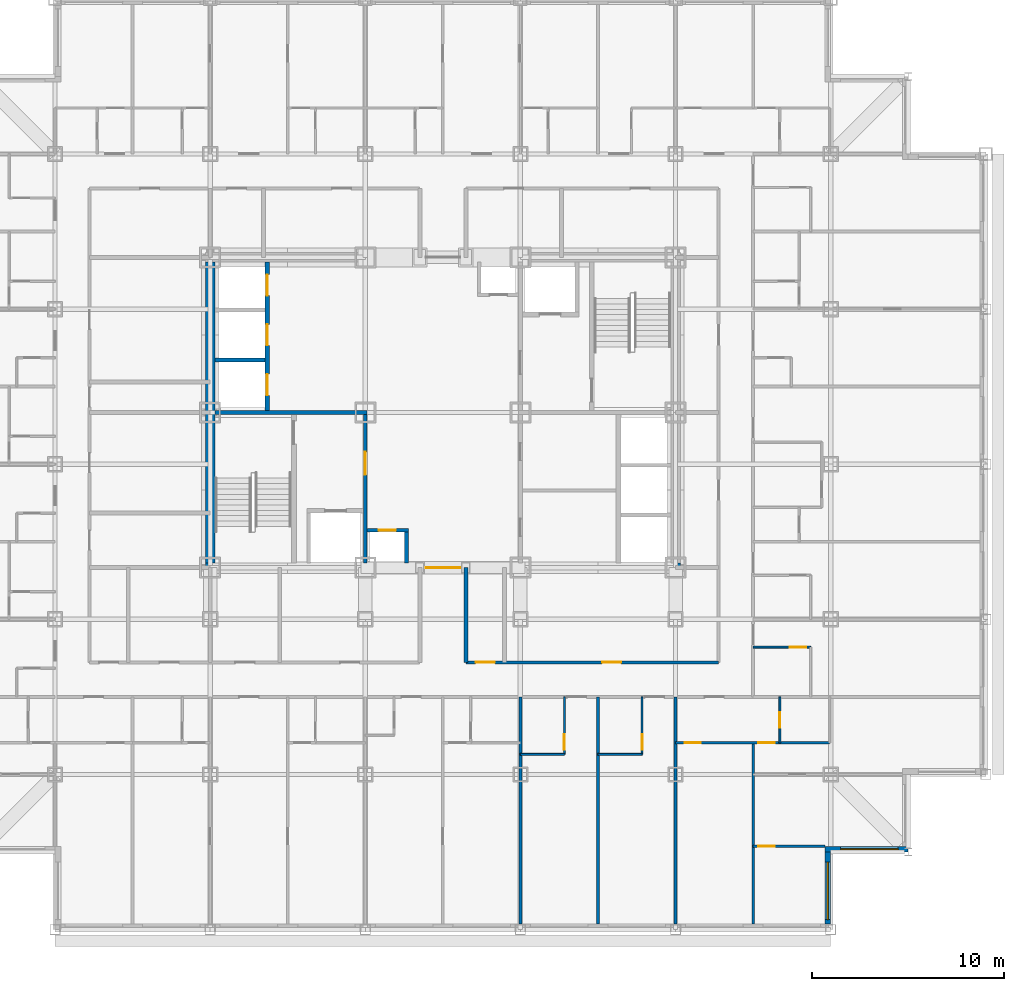
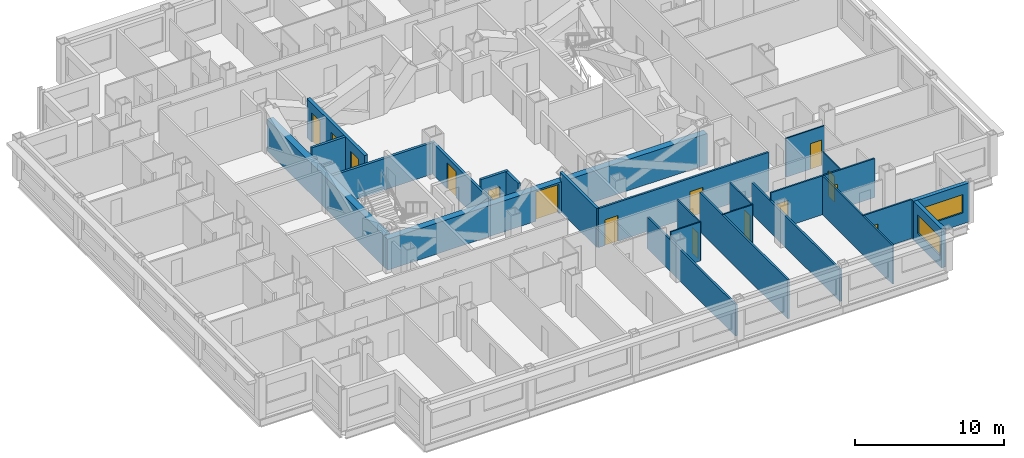
# One storey, part 7 of 13: 24 walls, 15 doors, 2 windows, 17 openings.
"""IFC4 building model written with IfcOpenShell, lengths in metres."""

import ifcopenshell
import ifcopenshell.guid

model = None  # the IFC model being written
_history = None  # IfcOwnerHistory: only IFC2X3 demands one
_inside = {}  # id of a spatial element -> (the spatial element, [elements in it])
_under = {}  # id of a project, library or spatial element -> (it, [spatial elements below it])
_declared = {}  # id of a project -> (the project, [libraries it declares])
_typed = {}  # id of a type object -> (the type object, [elements of that type])
_made_of = {}  # id of a material, layer set ... -> (it, [elements and type objects made of it])


def new_model(schema):
    """Start an empty IFC model of exactly this schema.

    Asked for "IFC4X3", IfcOpenShell would pick the latest addendum, in which some entities
    have other attributes; the version numbers below select the first issue.
    IFC2X3 requires an IfcOwnerHistory on every rooted entity: one is made here for all.
    """
    global model, _history
    if schema == "IFC4X3":
        model = ifcopenshell.file(schema_version=(4, 3, 0, 0))
    else:
        model = ifcopenshell.file(schema=schema)
    _inside.clear()
    _under.clear()
    _declared.clear()
    _typed.clear()
    _made_of.clear()
    _history = None
    if model.schema == "IFC2X3":
        org = make("IfcOrganization", Name="unknown")
        user = make(
            "IfcPersonAndOrganization",
            ThePerson=make("IfcPerson", FamilyName="unknown"),
            TheOrganization=org,
        )
        app = make(
            "IfcApplication",
            ApplicationDeveloper=org,
            Version="unknown",
            ApplicationFullName="unknown",
            ApplicationIdentifier="unknown",
        )
        _history = make(
            "IfcOwnerHistory",
            OwningUser=user,
            OwningApplication=app,
            ChangeAction="ADDED",
            CreationDate=0,
        )
    return model


def make(cls, **values):
    """One entity of the class cls with the attributes given. An attribute that is None is left unset."""
    return model.create_entity(
        cls, **{name: value for name, value in values.items() if value is not None}
    )


def rooted(cls, **values):
    """An entity with a GlobalId (a new one), such as an element, a storey or a relation."""
    return make(cls, GlobalId=ifcopenshell.guid.new(), OwnerHistory=_history, **values)


def si_unit(unit_type, name, prefix=None):
    """IfcSIUnit, for example si_unit("LENGTHUNIT", "METRE", prefix="MILLI")."""
    return make("IfcSIUnit", UnitType=unit_type, Prefix=prefix, Name=name)


def assignment(units):
    """IfcUnitAssignment: the units of a project."""
    return None if units is None else make("IfcUnitAssignment", Units=units)


def point(xyz):
    """IfcCartesianPoint."""
    return None if xyz is None else make("IfcCartesianPoint", Coordinates=xyz)


def direction(xyz):
    """IfcDirection."""
    return None if xyz is None else make("IfcDirection", DirectionRatios=xyz)


def frame(location, z_axis=None, x_axis=None):
    """IfcAxis2Placement3D, a coordinate frame: its origin and axes. An axis left out is left unset."""
    return make(
        "IfcAxis2Placement3D",
        Location=point(location),
        Axis=direction(z_axis),
        RefDirection=direction(x_axis),
    )


def frame_2d(location, x_axis=None):
    """IfcAxis2Placement2D, a coordinate frame in the plane: its origin and x axis."""
    return make(
        "IfcAxis2Placement2D", Location=point(location), RefDirection=direction(x_axis)
    )


def origin():
    """The frame at (0, 0, 0) with its axes left unset."""
    return frame((0.0, 0.0, 0.0))


def place(relative_to, where):
    """IfcLocalPlacement: puts the frame where relative to a parent placement (None: the world)."""
    return make(
        "IfcLocalPlacement", PlacementRelTo=relative_to, RelativePlacement=where
    )


def context(
    kind, dimensions, precision=None, world=None, true_north=None, identifier=None
):
    """IfcGeometricRepresentationContext, for example the 3D "Model" context."""
    return make(
        "IfcGeometricRepresentationContext",
        ContextIdentifier=identifier,
        ContextType=kind,
        CoordinateSpaceDimension=dimensions,
        Precision=precision,
        WorldCoordinateSystem=world,
        TrueNorth=true_north,
    )


def subcontext(parent, identifier, kind, view, scale=None):
    """IfcGeometricRepresentationSubContext, for example "Body" below "Model"."""
    return make(
        "IfcGeometricRepresentationSubContext",
        ContextIdentifier=identifier,
        ContextType=kind,
        ParentContext=parent,
        TargetScale=scale,
        TargetView=view,
    )


def project(units=None, contexts=None):
    """IfcProject with its units and contexts."""
    return rooted(
        "IfcProject",
        Name="project",
        RepresentationContexts=contexts,
        UnitsInContext=assignment(units),
    )


def spatial(cls, under=None, at=None, **own):
    """A site, building, storey or space (cls), placed at a placement, below another one or the project."""
    s = rooted(cls, ObjectPlacement=at, **own)
    if under is not None:
        _under.setdefault(under.id(), (under, []))[1].append(s)
    return s


def profile(cls, at=None, kind="AREA", **sizes):
    """A parametric profile (cls). Its sizes go by their IFC names, for example OverallWidth=200.0."""
    return make(cls, ProfileType=kind, Position=at, **sizes)


def rectangle(**sizes):
    """IfcRectangleProfileDef."""
    return profile("IfcRectangleProfileDef", **sizes)


def extrude(swept, where, along, depth):
    """IfcExtrudedAreaSolid: the profile swept, set in the frame where, extruded along a direction by depth."""
    return make(
        "IfcExtrudedAreaSolid",
        SweptArea=swept,
        Position=where,
        ExtrudedDirection=direction(along),
        Depth=depth,
    )


def shape(context_of_items, identifier, shape_type, items):
    """IfcShapeRepresentation: the items that make up one representation, for example the "Body"."""
    return make(
        "IfcShapeRepresentation",
        ContextOfItems=context_of_items,
        RepresentationIdentifier=identifier,
        RepresentationType=shape_type,
        Items=items,
    )


def material(Name=None, Category=None):
    """IfcMaterial."""
    return make("IfcMaterial", Name=Name, Category=Category)


def layer(
    of_material, thickness, ventilated=None, Name=None, Category=None, Priority=None
):
    """IfcMaterialLayer: one layer of a wall or slab, of a material (None: an air gap)."""
    return make(
        "IfcMaterialLayer",
        Material=of_material,
        LayerThickness=thickness,
        IsVentilated=ventilated,
        Name=Name,
        Category=Category,
        Priority=Priority,
    )


def layer_set(layers, Name=None):
    """IfcMaterialLayerSet."""
    return make("IfcMaterialLayerSet", MaterialLayers=layers, LayerSetName=Name)


def made_of(thing, what):
    """Note that an element or type object is made of a material, layer set ...; save() writes the relation."""
    if what is not None:
        _made_of.setdefault(what.id(), (what, []))[1].append(thing)
    return thing


def type_object(cls, material=None, **own):
    """A type object (cls), such as IfcWallType, which elements share."""
    return made_of(rooted(cls, **own), material)


def element(
    cls,
    number,
    at=None,
    inside=None,
    cuts=None,
    type_object=None,
    material=None,
    context=None,
    identifier="Body",
    shape_type=None,
    held_by="IfcProductDefinitionShape",
    body=None,
    shapes=None,
    **own,
):
    """One element of the class cls, such as IfcWall. Its Tag is "e" and its number.

    at: its placement. inside: the storey or other place that contains it. cuts: it is an
    opening in that element (IfcRelVoidsElement). A single representation is given by context,
    identifier, shape_type and body (its items); several are given by shapes. held_by: the class
    of the entity that holds the representations. save() writes the other relations.
    """
    e = rooted(cls, Tag="e%d" % number, ObjectPlacement=at, **own)
    if body is not None:
        shapes = [shape(context, identifier, shape_type, body)]
    if shapes is not None:
        e.Representation = make(held_by, Representations=shapes)
    if inside is not None:
        _inside.setdefault(inside.id(), (inside, []))[1].append(e)
    if cuts is not None:
        rooted(
            "IfcRelVoidsElement", RelatingBuildingElement=cuts, RelatedOpeningElement=e
        )
    if type_object is not None:
        _typed.setdefault(type_object.id(), (type_object, []))[1].append(e)
    return made_of(e, material)


def fill(opening, filler):
    """IfcRelFillsElement: the door or window that sits in an opening."""
    return rooted(
        "IfcRelFillsElement",
        RelatingOpeningElement=opening,
        RelatedBuildingElement=filler,
    )


def aggregate(whole, parts):
    """IfcRelAggregates: a whole, such as a stair, and the parts it consists of."""
    return rooted("IfcRelAggregates", RelatingObject=whole, RelatedObjects=parts)


def save(model, path):
    """Write the relations noted so far, then the file.

    IfcRelAggregates (storeys below a building ...), IfcRelContainedInSpatialStructure (elements
    in a storey), IfcRelDefinesByType, IfcRelAssociatesMaterial and IfcRelDeclares: one each for
    every whole, place, type object, material and project.
    """
    for whole, parts in _under.values():
        aggregate(whole, parts)
    for where, things in _inside.values():
        rooted(
            "IfcRelContainedInSpatialStructure",
            RelatedElements=things,
            RelatingStructure=where,
        )
    for kind, things in _typed.values():
        rooted("IfcRelDefinesByType", RelatedObjects=things, RelatingType=kind)
    for what, things in _made_of.values():
        rooted("IfcRelAssociatesMaterial", RelatedObjects=things, RelatingMaterial=what)
    for by, libraries in _declared.values():
        rooted("IfcRelDeclares", RelatingContext=by, RelatedDefinitions=libraries)
    model.write(path)


model = new_model("IFC4")

# Units and contexts
model_context = context("Model", 3, precision=1e-05, world=origin(), true_north=direction((0.0, 1.0)))
body_context = subcontext(model_context, "Body", "Model", "MODEL_VIEW")
ifc_project = project(units=[si_unit("LENGTHUNIT", "METRE"), si_unit("AREAUNIT", "SQUARE_METRE"), si_unit("VOLUMEUNIT", "CUBIC_METRE"), si_unit("PLANEANGLEUNIT", "RADIAN"), si_unit("MASSUNIT", "GRAM", prefix="KILO")], contexts=[model_context])

# Site, building, storey
site_placement = place(None, origin())
site = spatial("IfcSite", under=ifc_project, at=site_placement, CompositionType="ELEMENT")
building_placement = place(site_placement, origin())
building = spatial("IfcBuilding", under=site, at=building_placement, Name="Kopane Lantern Tower", CompositionType="ELEMENT")
storey_placement = place(building_placement, frame((0.0, 0.0, 134.0)))
storey = spatial("IfcBuildingStorey", under=building, at=storey_placement, Name="L34", CompositionType="ELEMENT", Elevation=134.0)

# Wall, openings, doors
ifc_material_1 = material(Name="Gypsum board on steel studs", Category="steel")
ifc_layer_1 = layer(ifc_material_1, 0.1201171875)
ifc_layer_set_1 = layer_set([ifc_layer_1], Name="APARTMENT INTERNAL WALL 120")
wall_type_1 = type_object("IfcWallType", Name="APARTMENT INTERNAL WALL 120", PredefinedType="PARTITIONING", material=ifc_layer_set_1)
wall_1_placement = place(storey_placement, frame((40.5, 15.14990234375, 0.0), z_axis=(0.0, 0.0, 1.0), x_axis=(1.0, 0.0, 0.0)))
wall_1 = element("IfcWall", 1, at=wall_1_placement, inside=storey, type_object=wall_type_1, Name="Apartment Internal Wall 120 L34", PredefinedType="PARTITIONING", context=body_context, shape_type="SweptSolid", body=[
    extrude(rectangle(XDim=8.050048828125, YDim=0.1201171875, at=frame_2d((4.02490234375, 0.0))), origin(), (0.0, 0.0, 1.0), 3.18994140625),
])
opening_1_placement = place(wall_1_placement, frame((0.47509765625, 0.0, 0.0)))
opening_1 = element("IfcOpeningElement", 2, at=opening_1_placement, cuts=wall_1, Name="Opening L34-076", PredefinedType="OPENING", context=body_context, shape_type="SweptSolid", body=[
    extrude(rectangle(XDim=0.85009765625, YDim=2.10009765625, at=frame_2d((0.425048828125, 1.050048828125))), frame((0.0, 0.070068359375, 0.0), z_axis=(0.0, -1.0, 0.0), x_axis=(1.0, 0.0, 0.0)), (0.0, 0.0, 1.0), 0.14013671875),
])
opening_2_placement = place(wall_1_placement, frame((4.324951171875, 0.0, 0.0)))
opening_2 = element("IfcOpeningElement", 3, at=opening_2_placement, cuts=wall_1, Name="Opening L34-078", PredefinedType="OPENING", context=body_context, shape_type="SweptSolid", body=[
    extrude(rectangle(XDim=0.85009765625, YDim=2.10009765625, at=frame_2d((0.425048828125, 1.050048828125))), frame((0.0, 0.070068359375, 0.0), z_axis=(0.0, -1.0, 0.0), x_axis=(1.0, 0.0, 0.0)), (0.0, 0.0, 1.0), 0.14013671875),
])
ifc_material_2 = material(Name="Timber door set", Category="wood")
door_type_1 = type_object("IfcDoorType", Name="DOOR D4 850x2100", OperationType="SINGLE_SWING_LEFT", PredefinedType="DOOR", material=ifc_material_2)
door_1_placement = place(opening_1_placement, origin())
door_1 = element("IfcDoor", 4, at=door_1_placement, inside=storey, type_object=door_type_1, Name="Door L34-076", OperationType="SINGLE_SWING_LEFT", OverallHeight=2.10009765625, OverallWidth=0.85009765625, PredefinedType="DOOR", context=body_context, shape_type="SweptSolid", body=[
    extrude(rectangle(XDim=0.85009765625, YDim=2.10009765625, at=frame_2d((0.425048828125, 1.050048828125))), frame((0.0, 0.02490234375, 0.0), z_axis=(0.0, -1.0, 0.0), x_axis=(1.0, 0.0, 0.0)), (0.0, 0.0, 1.0), 0.050048828125),
])
fill(opening_1, door_1)
door_2_placement = place(opening_2_placement, origin())
door_2 = element("IfcDoor", 5, at=door_2_placement, inside=storey, type_object=door_type_1, Name="Door L34-078", OperationType="SINGLE_SWING_RIGHT", OverallHeight=2.10009765625, OverallWidth=0.85009765625, PredefinedType="DOOR", context=body_context, shape_type="SweptSolid", body=[
    extrude(rectangle(XDim=0.85009765625, YDim=2.10009765625, at=frame_2d((0.425048828125, 1.050048828125))), frame((0.0, 0.02490234375, 0.0), z_axis=(0.0, -1.0, 0.0), x_axis=(1.0, 0.0, 0.0)), (0.0, 0.0, 1.0), 0.050048828125),
])
fill(opening_2, door_2)

# Wall
wall_2_placement = place(storey_placement, frame((44.550048828125, 15.14990234375, 0.0), z_axis=(0.0, 0.0, 1.0), x_axis=(0.0, -1.0, 0.0)))
element("IfcWall", 6, at=wall_2_placement, inside=storey, type_object=wall_type_1, Name="Apartment Internal Wall 120 L34", PredefinedType="PARTITIONING", context=body_context, shape_type="SweptSolid", body=[
    extrude(rectangle(XDim=9.449951171875, YDim=0.1201171875, at=frame_2d((4.72509765625, 0.0))), origin(), (0.0, 0.0, 1.0), 3.18994140625),
])

# Wall, opening, door
wall_3_placement = place(storey_placement, frame((44.550048828125, 9.75, 0.0), z_axis=(0.0, 0.0, 1.0), x_axis=(1.0, 0.0, 0.0)))
wall_3 = element("IfcWall", 7, at=wall_3_placement, inside=storey, type_object=wall_type_1, Name="Apartment Internal Wall 120 L34", PredefinedType="PARTITIONING", context=body_context, shape_type="SweptSolid", body=[
    extrude(rectangle(XDim=3.75, YDim=0.1201171875, at=frame_2d((1.875, 0.0))), origin(), (0.0, 0.0, 1.0), 3.18994140625),
])
opening_3_placement = place(wall_3_placement, frame((0.27490234375, 0.0, 0.0)))
opening_3 = element("IfcOpeningElement", 8, at=opening_3_placement, cuts=wall_3, Name="Opening L34-098", PredefinedType="OPENING", context=body_context, shape_type="SweptSolid", body=[
    extrude(rectangle(XDim=0.85009765625, YDim=2.10009765625, at=frame_2d((0.425048828125, 1.050048828125))), frame((0.0, 0.070068359375, 0.0), z_axis=(0.0, -1.0, 0.0), x_axis=(1.0, 0.0, 0.0)), (0.0, 0.0, 1.0), 0.14013671875),
])
door_3_placement = place(opening_3_placement, origin())
door_3 = element("IfcDoor", 9, at=door_3_placement, inside=storey, type_object=door_type_1, Name="Door L34-098", OperationType="SINGLE_SWING_RIGHT", OverallHeight=2.10009765625, OverallWidth=0.85009765625, PredefinedType="DOOR", context=body_context, shape_type="SweptSolid", body=[
    extrude(rectangle(XDim=0.85009765625, YDim=2.10009765625, at=frame_2d((0.425048828125, 1.050048828125))), frame((0.0, 0.02490234375, 0.0), z_axis=(0.0, -1.0, 0.0), x_axis=(1.0, 0.0, 0.0)), (0.0, 0.0, 1.0), 0.050048828125),
])
fill(opening_3, door_3)

# Wall
ifc_material_3 = material(Name="Moisture-resistant board on steel studs", Category="steel")
ifc_layer_2 = layer(ifc_material_3, 0.10009765625)
ifc_layer_set_2 = layer_set([ifc_layer_2], Name="BATHROOM WALL 100")
wall_type_2 = type_object("IfcWallType", Name="BATHROOM WALL 100", PredefinedType="PARTITIONING", material=ifc_layer_set_2)
wall_4_placement = place(storey_placement, frame((32.39990234375, 14.550048828125, 0.0), z_axis=(0.0, 0.0, 1.0), x_axis=(1.0, 0.0, 0.0)))
element("IfcWall", 10, at=wall_4_placement, inside=storey, type_object=wall_type_2, Name="Bathroom Wall 100 L34", PredefinedType="PARTITIONING", context=body_context, shape_type="SweptSolid", body=[
    extrude(rectangle(XDim=2.300048828125, YDim=0.10009765625, at=frame_2d((1.14990234375, 0.0))), origin(), (0.0, 0.0, 1.0), 3.18994140625),
])

# Wall, opening, door
wall_5_placement = place(storey_placement, frame((34.699951171875, 17.550048828125, 0.0), z_axis=(0.0, 0.0, 1.0), x_axis=(0.0, -1.0, 0.0)))
wall_5 = element("IfcWall", 11, at=wall_5_placement, inside=storey, type_object=wall_type_2, Name="Bathroom Wall 100 L34", PredefinedType="PARTITIONING", context=body_context, shape_type="SweptSolid", body=[
    extrude(rectangle(XDim=3.0, YDim=0.10009765625, at=frame_2d((1.5, 0.0))), origin(), (0.0, 0.0, 1.0), 3.18994140625),
])
opening_4_placement = place(wall_5_placement, frame((1.949951171875, 0.0, 0.0)))
opening_4 = element("IfcOpeningElement", 12, at=opening_4_placement, cuts=wall_5, Name="Opening L34-027", PredefinedType="OPENING", context=body_context, shape_type="SweptSolid", body=[
    extrude(rectangle(XDim=0.800048828125, YDim=2.10009765625, at=frame_2d((0.39990234375, 1.050048828125))), frame((0.0, 0.06005859375, 0.0), z_axis=(0.0, -1.0, 0.0), x_axis=(1.0, 0.0, 0.0)), (0.0, 0.0, 1.0), 0.1201171875),
])
ifc_material_4 = material(Name="Timber door set", Category="wood")
door_type_2 = type_object("IfcDoorType", Name="DOOR D2 800x2100", OperationType="SINGLE_SWING_LEFT", PredefinedType="DOOR", material=ifc_material_4)
door_4_placement = place(opening_4_placement, origin())
door_4 = element("IfcDoor", 13, at=door_4_placement, inside=storey, type_object=door_type_2, Name="Door L34-027", OperationType="SINGLE_SWING_LEFT", OverallHeight=2.10009765625, OverallWidth=0.800048828125, PredefinedType="DOOR", context=body_context, shape_type="SweptSolid", body=[
    extrude(rectangle(XDim=0.800048828125, YDim=2.10009765625, at=frame_2d((0.39990234375, 1.050048828125))), frame((0.0, 0.02490234375, 0.0), z_axis=(0.0, -1.0, 0.0), x_axis=(1.0, 0.0, 0.0)), (0.0, 0.0, 1.0), 0.050048828125),
])
fill(opening_4, door_4)

# Wall
wall_6_placement = place(storey_placement, frame((36.449951171875, 14.550048828125, 0.0), z_axis=(0.0, 0.0, 1.0), x_axis=(1.0, 0.0, 0.0)))
element("IfcWall", 14, at=wall_6_placement, inside=storey, type_object=wall_type_2, Name="Bathroom Wall 100 L34", PredefinedType="PARTITIONING", context=body_context, shape_type="SweptSolid", body=[
    extrude(rectangle(XDim=2.300048828125, YDim=0.10009765625, at=frame_2d((1.14990234375, 0.0))), origin(), (0.0, 0.0, 1.0), 3.18994140625),
])

# Wall, opening, door
wall_7_placement = place(storey_placement, frame((38.75, 17.550048828125, 0.0), z_axis=(0.0, 0.0, 1.0), x_axis=(0.0, -1.0, 0.0)))
wall_7 = element("IfcWall", 15, at=wall_7_placement, inside=storey, type_object=wall_type_2, Name="Bathroom Wall 100 L34", PredefinedType="PARTITIONING", context=body_context, shape_type="SweptSolid", body=[
    extrude(rectangle(XDim=3.0, YDim=0.10009765625, at=frame_2d((1.5, 0.0))), origin(), (0.0, 0.0, 1.0), 3.18994140625),
])
opening_5_placement = place(wall_7_placement, frame((1.949951171875, 0.0, 0.0)))
opening_5 = element("IfcOpeningElement", 16, at=opening_5_placement, cuts=wall_7, Name="Opening L34-029", PredefinedType="OPENING", context=body_context, shape_type="SweptSolid", body=[
    extrude(rectangle(XDim=0.800048828125, YDim=2.10009765625, at=frame_2d((0.39990234375, 1.050048828125))), frame((0.0, 0.06005859375, 0.0), z_axis=(0.0, -1.0, 0.0), x_axis=(1.0, 0.0, 0.0)), (0.0, 0.0, 1.0), 0.1201171875),
])
door_5_placement = place(opening_5_placement, origin())
door_5 = element("IfcDoor", 17, at=door_5_placement, inside=storey, type_object=door_type_2, Name="Door L34-029", OperationType="SINGLE_SWING_LEFT", OverallHeight=2.10009765625, OverallWidth=0.800048828125, PredefinedType="DOOR", context=body_context, shape_type="SweptSolid", body=[
    extrude(rectangle(XDim=0.800048828125, YDim=2.10009765625, at=frame_2d((0.39990234375, 1.050048828125))), frame((0.0, 0.02490234375, 0.0), z_axis=(0.0, -1.0, 0.0), x_axis=(1.0, 0.0, 0.0)), (0.0, 0.0, 1.0), 0.050048828125),
])
fill(opening_5, door_5)

wall_8_placement = place(storey_placement, frame((44.550048828125, 20.14990234375, 0.0), z_axis=(0.0, 0.0, 1.0), x_axis=(1.0, 0.0, 0.0)))
wall_8 = element("IfcWall", 18, at=wall_8_placement, inside=storey, type_object=wall_type_2, Name="Bathroom Wall 100 L34", PredefinedType="PARTITIONING", context=body_context, shape_type="SweptSolid", body=[
    extrude(rectangle(XDim=3.0, YDim=0.10009765625, at=frame_2d((1.5, 0.0))), origin(), (0.0, 0.0, 1.0), 3.18994140625),
])
opening_6_placement = place(wall_8_placement, frame((1.925048828125, 0.0, 0.0)))
opening_6 = element("IfcOpeningElement", 19, at=opening_6_placement, cuts=wall_8, Name="Opening L34-057", PredefinedType="OPENING", context=body_context, shape_type="SweptSolid", body=[
    extrude(rectangle(XDim=0.85009765625, YDim=2.10009765625, at=frame_2d((0.425048828125, 1.050048828125))), frame((0.0, 0.06005859375, 0.0), z_axis=(0.0, -1.0, 0.0), x_axis=(1.0, 0.0, 0.0)), (0.0, 0.0, 1.0), 0.1201171875),
])
door_6_placement = place(opening_6_placement, origin())
door_6 = element("IfcDoor", 20, at=door_6_placement, inside=storey, type_object=door_type_1, Name="Door L34-057", OperationType="SINGLE_SWING_LEFT", OverallHeight=2.10009765625, OverallWidth=0.85009765625, PredefinedType="DOOR", context=body_context, shape_type="SweptSolid", body=[
    extrude(rectangle(XDim=0.85009765625, YDim=2.10009765625, at=frame_2d((0.425048828125, 1.050048828125))), frame((0.0, 0.02490234375, 0.0), z_axis=(0.0, -1.0, 0.0), x_axis=(1.0, 0.0, 0.0)), (0.0, 0.0, 1.0), 0.050048828125),
])
fill(opening_6, door_6)

wall_9_placement = place(storey_placement, frame((45.949951171875, 17.550048828125, 0.0), z_axis=(0.0, 0.0, 1.0), x_axis=(0.0, -1.0, 0.0)))
wall_9 = element("IfcWall", 21, at=wall_9_placement, inside=storey, type_object=wall_type_2, Name="Bathroom Wall 100 L34", PredefinedType="PARTITIONING", context=body_context, shape_type="SweptSolid", body=[
    extrude(rectangle(XDim=2.400146484375, YDim=0.10009765625, at=frame_2d((1.2001953125, 0.0))), origin(), (0.0, 0.0, 1.0), 3.18994140625),
])
opening_7_placement = place(wall_9_placement, frame((0.800048828125, 0.0, 0.0)))
opening_7 = element("IfcOpeningElement", 22, at=opening_7_placement, cuts=wall_9, Name="Opening L34-077", PredefinedType="OPENING", context=body_context, shape_type="SweptSolid", body=[
    extrude(rectangle(XDim=0.800048828125, YDim=2.10009765625, at=frame_2d((0.39990234375, 1.050048828125))), frame((0.0, 0.06005859375, 0.0), z_axis=(0.0, -1.0, 0.0), x_axis=(1.0, 0.0, 0.0)), (0.0, 0.0, 1.0), 0.1201171875),
])
door_7_placement = place(opening_7_placement, origin())
door_7 = element("IfcDoor", 23, at=door_7_placement, inside=storey, type_object=door_type_2, Name="Door L34-077", OperationType="SINGLE_SWING_LEFT", OverallHeight=2.10009765625, OverallWidth=0.800048828125, PredefinedType="DOOR", context=body_context, shape_type="SweptSolid", body=[
    extrude(rectangle(XDim=0.800048828125, YDim=2.10009765625, at=frame_2d((0.39990234375, 1.050048828125))), frame((0.0, 0.02490234375, 0.0), z_axis=(0.0, -1.0, 0.0), x_axis=(1.0, 0.0, 0.0)), (0.0, 0.0, 1.0), 0.050048828125),
])
fill(opening_7, door_7)

ifc_material_5 = material(Name="Gypsum shaft wall EI 120", Category="gypsum")
ifc_layer_3 = layer(ifc_material_5, 0.5)
ifc_layer_set_3 = layer_set([ifc_layer_3], Name="CORE PERIMETER WALL 500 EI 120")
wall_type_3 = type_object("IfcWallType", Name="CORE PERIMETER WALL 500 EI 120", PredefinedType="SOLIDWALL", material=ifc_layer_set_3)
wall_10_placement = place(storey_placement, frame((15.949951171875, 24.300048828125, 0.0), z_axis=(0.0, 0.0, 1.0), x_axis=(1.0, 0.0, 0.0)))
wall_10 = element("IfcWall", 24, at=wall_10_placement, inside=storey, type_object=wall_type_3, Name="Core shaft wall L34 PS", PredefinedType="SOLIDWALL", context=body_context, shape_type="SweptSolid", body=[
    extrude(rectangle(XDim=24.800048828125, YDim=0.5, at=frame_2d((12.39990234375, 0.0))), origin(), (0.0, 0.0, 1.0), 2.5400390625),
])
opening_8_placement = place(wall_10_placement, frame((11.5, 0.0, 0.0)))
opening_8 = element("IfcOpeningElement", 25, at=opening_8_placement, cuts=wall_10, Name="Opening 34.CE-S", PredefinedType="OPENING", context=body_context, shape_type="SweptSolid", body=[
    extrude(rectangle(XDim=1.800048828125, YDim=2.39990234375, at=frame_2d((0.89990234375, 1.199951171875))), frame((0.0, 0.260009765625, 0.0), z_axis=(0.0, -1.0, 0.0), x_axis=(1.0, 0.0, 0.0)), (0.0, 0.0, 1.0), 0.52001953125),
])
ifc_material_6 = material(Name="Steel door set", Category="steel")
door_type_3 = type_object("IfcDoorType", Name="CORE ENTRY DOOR 1800x2400 FD60S", OperationType="DOUBLE_DOOR_SINGLE_SWING", PredefinedType="DOOR", material=ifc_material_6)
door_8_placement = place(opening_8_placement, origin())
door_8 = element("IfcDoor", 26, at=door_8_placement, inside=storey, type_object=door_type_3, Name="Core entry door L34 south", OperationType="DOUBLE_DOOR_SINGLE_SWING", OverallHeight=2.39990234375, OverallWidth=1.800048828125, PredefinedType="DOOR", context=body_context, shape_type="SweptSolid", body=[
    extrude(rectangle(XDim=1.800048828125, YDim=2.39990234375, at=frame_2d((0.89990234375, 1.199951171875))), frame((0.0, 0.02490234375, 0.0), z_axis=(0.0, -1.0, 0.0), x_axis=(1.0, 0.0, 0.0)), (0.0, 0.0, 1.0), 0.050048828125),
])
fill(opening_8, door_8)

# Wall
wall_11_placement = place(storey_placement, frame((16.199951171875, 24.550048828125, 0.0), z_axis=(0.0, 0.0, 1.0), x_axis=(0.0, 1.0, 0.0)))
element("IfcWall", 27, at=wall_11_placement, inside=storey, type_object=wall_type_3, Name="Core shaft wall L34 PW", PredefinedType="SOLIDWALL", context=body_context, shape_type="SweptSolid", body=[
    extrude(rectangle(XDim=15.699951171875, YDim=0.5, at=frame_2d((7.85009765625, 0.0))), origin(), (0.0, 0.0, 1.0), 2.577880859375),
])

# Wall, openings, doors
ifc_material_7 = material(Name="Gypsum shaft wall EI 120", Category="gypsum")
ifc_layer_4 = layer(ifc_material_7, 0.25)
ifc_layer_set_4 = layer_set([ifc_layer_4], Name="CORE SHAFT WALL 250 EI 120")
wall_type_4 = type_object("IfcWallType", Name="CORE SHAFT WALL 250 EI 120", PredefinedType="SOLIDWALL", material=ifc_layer_set_4)
wall_12_placement = place(storey_placement, frame((19.175048828125, 32.5, 0.0), z_axis=(0.0, 0.0, 1.0), x_axis=(0.0, 1.0, 0.0)))
wall_12 = element("IfcWall", 28, at=wall_12_placement, inside=storey, type_object=wall_type_4, Name="Core shaft wall L34 XLH", PredefinedType="SOLIDWALL", context=body_context, shape_type="SweptSolid", body=[
    extrude(rectangle(XDim=7.75, YDim=0.25, at=frame_2d((3.875, 0.0))), origin(), (0.0, 0.0, 1.0), 3.18994140625),
])
opening_9_placement = place(wall_12_placement, frame((0.800048828125, 0.0, 0.0)))
opening_9 = element("IfcOpeningElement", 29, at=opening_9_placement, cuts=wall_12, Name="Opening 34.LD-LH1", PredefinedType="OPENING", context=body_context, shape_type="SweptSolid", body=[
    extrude(rectangle(XDim=1.10009765625, YDim=2.39990234375, at=frame_2d((0.550048828125, 1.199951171875))), frame((0.0, 0.135009765625, 0.0), z_axis=(0.0, -1.0, 0.0), x_axis=(1.0, 0.0, 0.0)), (0.0, 0.0, 1.0), 0.27001953125),
])
opening_10_placement = place(wall_12_placement, frame((3.39990234375, 0.0, 0.0)))
opening_10 = element("IfcOpeningElement", 30, at=opening_10_placement, cuts=wall_12, Name="Opening 34.LD-LH2", PredefinedType="OPENING", context=body_context, shape_type="SweptSolid", body=[
    extrude(rectangle(XDim=1.10009765625, YDim=2.39990234375, at=frame_2d((0.550048828125, 1.199951171875))), frame((0.0, 0.135009765625, 0.0), z_axis=(0.0, -1.0, 0.0), x_axis=(1.0, 0.0, 0.0)), (0.0, 0.0, 1.0), 0.27001953125),
])
opening_11_placement = place(wall_12_placement, frame((6.0, 0.0, 0.0)))
opening_11 = element("IfcOpeningElement", 31, at=opening_11_placement, cuts=wall_12, Name="Opening 34.LD-LH3", PredefinedType="OPENING", context=body_context, shape_type="SweptSolid", body=[
    extrude(rectangle(XDim=1.10009765625, YDim=2.39990234375, at=frame_2d((0.550048828125, 1.199951171875))), frame((0.0, 0.135009765625, 0.0), z_axis=(0.0, -1.0, 0.0), x_axis=(1.0, 0.0, 0.0)), (0.0, 0.0, 1.0), 0.27001953125),
])
ifc_material_8 = material(Name="Steel door set", Category="steel")
door_type_4 = type_object("IfcDoorType", Name="LIFT LANDING DOOR 1100x2400 FD60", OperationType="DOUBLE_DOOR_SLIDING", PredefinedType="DOOR", material=ifc_material_8)
door_9_placement = place(opening_9_placement, origin())
door_9 = element("IfcDoor", 32, at=door_9_placement, inside=storey, type_object=door_type_4, Name="Landing door LH1 L34", OperationType="DOUBLE_DOOR_SLIDING", OverallHeight=2.39990234375, OverallWidth=1.10009765625, PredefinedType="DOOR", context=body_context, shape_type="SweptSolid", body=[
    extrude(rectangle(XDim=1.10009765625, YDim=2.39990234375, at=frame_2d((0.550048828125, 1.199951171875))), frame((0.0, 0.02490234375, 0.0), z_axis=(0.0, -1.0, 0.0), x_axis=(1.0, 0.0, 0.0)), (0.0, 0.0, 1.0), 0.050048828125),
])
fill(opening_9, door_9)
door_10_placement = place(opening_10_placement, origin())
door_10 = element("IfcDoor", 33, at=door_10_placement, inside=storey, type_object=door_type_4, Name="Landing door LH2 L34", OperationType="DOUBLE_DOOR_SLIDING", OverallHeight=2.39990234375, OverallWidth=1.10009765625, PredefinedType="DOOR", context=body_context, shape_type="SweptSolid", body=[
    extrude(rectangle(XDim=1.10009765625, YDim=2.39990234375, at=frame_2d((0.550048828125, 1.199951171875))), frame((0.0, 0.02490234375, 0.0), z_axis=(0.0, -1.0, 0.0), x_axis=(1.0, 0.0, 0.0)), (0.0, 0.0, 1.0), 0.050048828125),
])
fill(opening_10, door_10)
door_11_placement = place(opening_11_placement, origin())
door_11 = element("IfcDoor", 34, at=door_11_placement, inside=storey, type_object=door_type_4, Name="Landing door LH3 L34", OperationType="DOUBLE_DOOR_SLIDING", OverallHeight=2.39990234375, OverallWidth=1.10009765625, PredefinedType="DOOR", context=body_context, shape_type="SweptSolid", body=[
    extrude(rectangle(XDim=1.10009765625, YDim=2.39990234375, at=frame_2d((0.550048828125, 1.199951171875))), frame((0.0, 0.02490234375, 0.0), z_axis=(0.0, -1.0, 0.0), x_axis=(1.0, 0.0, 0.0)), (0.0, 0.0, 1.0), 0.050048828125),
])
fill(opening_11, door_11)

ifc_material_9 = material(Name="Gypsum board on steel studs", Category="steel")
ifc_layer_5 = layer(ifc_material_9, 0.14990234375)
ifc_layer_set_5 = layer_set([ifc_layer_5], Name="CORRIDOR WALL 150 EI 60")
wall_type_5 = type_object("IfcWallType", Name="CORRIDOR WALL 150 EI 60", PredefinedType="PARTITIONING", material=ifc_layer_set_5)
wall_13_placement = place(storey_placement, frame((29.56005859375, 19.35009765625, 0.0), z_axis=(0.0, 0.0, 1.0), x_axis=(1.0, 0.0, 0.0)))
wall_13 = element("IfcWall", 35, at=wall_13_placement, inside=storey, type_object=wall_type_5, Name="Corridor Wall 150 Ei 60 L34", PredefinedType="PARTITIONING", context=body_context, shape_type="SweptSolid", body=[
    extrude(rectangle(XDim=13.18994140625, YDim=0.14990234375, at=frame_2d((6.594970703125, 0.0))), origin(), (0.0, 0.0, 1.0), 3.18994140625),
])
opening_12_placement = place(wall_13_placement, frame((0.5, 0.0, 0.0)))
opening_12 = element("IfcOpeningElement", 36, at=opening_12_placement, cuts=wall_13, Name="Opening L34-011", PredefinedType="OPENING", context=body_context, shape_type="SweptSolid", body=[
    extrude(rectangle(XDim=1.0, YDim=2.10009765625, at=frame_2d((0.5, 1.050048828125))), frame((0.0, 0.0849609375, 0.0), z_axis=(0.0, -1.0, 0.0), x_axis=(1.0, 0.0, 0.0)), (0.0, 0.0, 1.0), 0.169921875),
])
opening_13_placement = place(wall_13_placement, frame((7.10009765625, 0.0, 0.0)))
opening_13 = element("IfcOpeningElement", 37, at=opening_13_placement, cuts=wall_13, Name="Opening L34-012", PredefinedType="OPENING", context=body_context, shape_type="SweptSolid", body=[
    extrude(rectangle(XDim=1.0, YDim=2.10009765625, at=frame_2d((0.5, 1.050048828125))), frame((0.0, 0.0849609375, 0.0), z_axis=(0.0, -1.0, 0.0), x_axis=(1.0, 0.0, 0.0)), (0.0, 0.0, 1.0), 0.169921875),
])
ifc_material_10 = material(Name="Steel door set", Category="steel")
door_type_5 = type_object("IfcDoorType", Name="DOOR D5 1000x2100 FD60", OperationType="SINGLE_SWING_LEFT", PredefinedType="DOOR", material=ifc_material_10)
door_12_placement = place(opening_12_placement, origin())
door_12 = element("IfcDoor", 38, at=door_12_placement, inside=storey, type_object=door_type_5, Name="Door L34-011", OperationType="SINGLE_SWING_LEFT", OverallHeight=2.10009765625, OverallWidth=1.0, PredefinedType="DOOR", context=body_context, shape_type="SweptSolid", body=[
    extrude(rectangle(XDim=1.0, YDim=2.10009765625, at=frame_2d((0.5, 1.050048828125))), frame((0.0, 0.02490234375, 0.0), z_axis=(0.0, -1.0, 0.0), x_axis=(1.0, 0.0, 0.0)), (0.0, 0.0, 1.0), 0.050048828125),
])
fill(opening_12, door_12)
door_13_placement = place(opening_13_placement, origin())
door_13 = element("IfcDoor", 39, at=door_13_placement, inside=storey, type_object=door_type_5, Name="Door L34-012", OperationType="SINGLE_SWING_RIGHT", OverallHeight=2.10009765625, OverallWidth=1.0, PredefinedType="DOOR", context=body_context, shape_type="SweptSolid", body=[
    extrude(rectangle(XDim=1.0, YDim=2.10009765625, at=frame_2d((0.5, 1.050048828125))), frame((0.0, 0.02490234375, 0.0), z_axis=(0.0, -1.0, 0.0), x_axis=(1.0, 0.0, 0.0)), (0.0, 0.0, 1.0), 0.050048828125),
])
fill(opening_13, door_13)

# Walls
ifc_material_11 = material(Name="Gypsum board on steel studs", Category="steel")
ifc_layer_6 = layer(ifc_material_11, 0.14990234375)
ifc_layer_set_6 = layer_set([ifc_layer_6], Name="DEMISING WALL 150 EI 60")
wall_type_6 = type_object("IfcWallType", Name="DEMISING WALL 150 EI 60", PredefinedType="PARTITIONING", material=ifc_layer_set_6)
wall_14_placement = place(storey_placement, frame((32.39990234375, 17.550048828125, 0.0), z_axis=(0.0, 0.0, 1.0), x_axis=(0.0, -1.0, 0.0)))
element("IfcWall", 40, at=wall_14_placement, inside=storey, type_object=wall_type_6, Name="Demising Wall 150 Ei 60 L34", PredefinedType="PARTITIONING", context=body_context, shape_type="SweptSolid", body=[
    extrude(rectangle(XDim=11.85009765625, YDim=0.14990234375, at=frame_2d((5.925048828125, 0.0))), origin(), (0.0, 0.0, 1.0), 2.577880859375),
])
wall_15_placement = place(storey_placement, frame((36.449951171875, 17.550048828125, 0.0), z_axis=(0.0, 0.0, 1.0), x_axis=(0.0, -1.0, 0.0)))
element("IfcWall", 41, at=wall_15_placement, inside=storey, type_object=wall_type_6, Name="Demising Wall 150 Ei 60 L34", PredefinedType="PARTITIONING", context=body_context, shape_type="SweptSolid", body=[
    extrude(rectangle(XDim=11.85009765625, YDim=0.14990234375, at=frame_2d((5.925048828125, 0.0))), origin(), (0.0, 0.0, 1.0), 3.18994140625),
])
wall_16_placement = place(storey_placement, frame((40.5, 17.550048828125, 0.0), z_axis=(0.0, 0.0, 1.0), x_axis=(0.0, -1.0, 0.0)))
element("IfcWall", 42, at=wall_16_placement, inside=storey, type_object=wall_type_6, Name="Demising Wall 150 Ei 60 L34", PredefinedType="PARTITIONING", context=body_context, shape_type="SweptSolid", body=[
    extrude(rectangle(XDim=11.85009765625, YDim=0.14990234375, at=frame_2d((5.925048828125, 0.0))), origin(), (0.0, 0.0, 1.0), 2.577880859375),
])

# Wall, opening, window
ifc_material_12 = material(Name="Terracotta rainscreen on light steel framing", Category="masonry")
ifc_layer_7 = layer(ifc_material_12, 0.300048828125)
ifc_layer_set_7 = layer_set([ifc_layer_7], Name="EXTERNAL WALL EW1 300 TERRACOTTA")
wall_type_7 = type_object("IfcWallType", Name="EXTERNAL WALL EW1 300 TERRACOTTA", PredefinedType="SOLIDWALL", material=ifc_layer_set_7)
wall_17_placement = place(storey_placement, frame((48.449951171875, 5.699951171875, 0.0), z_axis=(0.0, 0.0, 1.0), x_axis=(0.0, 1.0, 0.0)))
wall_17 = element("IfcWall", 43, at=wall_17_placement, inside=storey, type_object=wall_type_7, Name="External wall E L34", PredefinedType="SOLIDWALL", context=body_context, shape_type="SweptSolid", body=[
    extrude(rectangle(XDim=3.75, YDim=0.300048828125, at=frame_2d((1.875, 0.0))), origin(), (0.0, 0.0, 1.0), 3.18994140625),
])
opening_14_placement = place(wall_17_placement, frame((0.22509765625, 0.0, 0.89990234375)))
opening_14 = element("IfcOpeningElement", 44, at=opening_14_placement, cuts=wall_17, Name="Opening WR300150", PredefinedType="OPENING", context=body_context, shape_type="SweptSolid", body=[
    extrude(rectangle(XDim=3.0, YDim=1.5, at=frame_2d((1.5, 0.75))), frame((0.0, 0.159912109375, 0.0), z_axis=(0.0, -1.0, 0.0), x_axis=(1.0, 0.0, 0.0)), (0.0, 0.0, 1.0), 0.320068359375),
])
ifc_material_13 = material(Name="Aluminium and clear glass", Category="aluminium")
window_type = type_object("IfcWindowType", Name="RIBBON WINDOW WR300150 3000x1500", PartitioningType="SINGLE_PANEL", PredefinedType="WINDOW", material=ifc_material_13)
window_1_placement = place(opening_14_placement, origin())
window_1 = element("IfcWindow", 45, at=window_1_placement, inside=storey, type_object=window_type, Name="Window E L34", OverallHeight=1.5, OverallWidth=3.0, PartitioningType="SINGLE_PANEL", PredefinedType="WINDOW", context=body_context, shape_type="SweptSolid", body=[
    extrude(rectangle(XDim=3.0, YDim=1.5, at=frame_2d((1.5, 0.75))), frame((0.0, 0.030029296875, 0.0), z_axis=(0.0, -1.0, 0.0), x_axis=(1.0, 0.0, 0.0)), (0.0, 0.0, 1.0), 0.06005859375),
])
fill(opening_14, window_1)

wall_18_placement = place(storey_placement, frame((48.300048828125, 9.60009765625, 0.0), z_axis=(0.0, 0.0, 1.0), x_axis=(1.0, 0.0, 0.0)))
wall_18 = element("IfcWall", 46, at=wall_18_placement, inside=storey, type_object=wall_type_7, Name="External wall S L34", PredefinedType="SOLIDWALL", context=body_context, shape_type="SweptSolid", body=[
    extrude(rectangle(XDim=4.349853515625, YDim=0.300048828125, at=frame_2d((2.1748046875, 0.0))), origin(), (0.0, 0.0, 1.0), 3.18994140625),
])
opening_15_placement = place(wall_18_placement, frame((0.824951171875, 0.0, 0.89990234375)))
opening_15 = element("IfcOpeningElement", 47, at=opening_15_placement, cuts=wall_18, Name="Opening WR300150", PredefinedType="OPENING", context=body_context, shape_type="SweptSolid", body=[
    extrude(rectangle(XDim=3.0, YDim=1.5, at=frame_2d((1.5, 0.75))), frame((0.0, 0.159912109375, 0.0), z_axis=(0.0, -1.0, 0.0), x_axis=(1.0, 0.0, 0.0)), (0.0, 0.0, 1.0), 0.320068359375),
])
window_2_placement = place(opening_15_placement, origin())
window_2 = element("IfcWindow", 48, at=window_2_placement, inside=storey, type_object=window_type, Name="Window S L34", OverallHeight=1.5, OverallWidth=3.0, PartitioningType="SINGLE_PANEL", PredefinedType="WINDOW", context=body_context, shape_type="SweptSolid", body=[
    extrude(rectangle(XDim=3.0, YDim=1.5, at=frame_2d((1.5, 0.75))), frame((0.0, 0.030029296875, 0.0), z_axis=(0.0, -1.0, 0.0), x_axis=(1.0, 0.0, 0.0)), (0.0, 0.0, 1.0), 0.06005859375),
])
fill(opening_15, window_2)

# Walls
ifc_material_14 = material(Name="Concrete masonry", Category="masonry")
ifc_layer_8 = layer(ifc_material_14, 0.199951171875)
ifc_layer_set_8 = layer_set([ifc_layer_8], Name="PLANT ROOM WALL 200 EI 120")
wall_type_8 = type_object("IfcWallType", Name="PLANT ROOM WALL 200 EI 120", PredefinedType="SOLIDWALL", material=ifc_layer_set_8)
wall_19_placement = place(storey_placement, frame((29.550048828125, 19.35009765625, 0.0), z_axis=(0.0, 0.0, 1.0), x_axis=(0.0, 1.0, 0.0)))
element("IfcWall", 49, at=wall_19_placement, inside=storey, type_object=wall_type_8, Name="Plant Room Wall 200 Ei 120 L34", PredefinedType="SOLIDWALL", context=body_context, shape_type="SweptSolid", body=[
    extrude(rectangle(XDim=4.949951171875, YDim=0.199951171875, at=frame_2d((2.47509765625, 0.0))), origin(), (0.0, 0.0, 1.0), 3.18994140625),
])
ifc_material_15 = material(Name="Gypsum shaft wall EI 120", Category="gypsum")
ifc_layer_9 = layer(ifc_material_15, 0.199951171875)
ifc_layer_set_9 = layer_set([ifc_layer_9], Name="SHAFT WALL 200 EI 120")
wall_type_9 = type_object("IfcWallType", Name="SHAFT WALL 200 EI 120", PredefinedType="SOLIDWALL", material=ifc_layer_set_9)
wall_20_placement = place(storey_placement, frame((16.449951171875, 32.39990234375, 0.0), z_axis=(0.0, 0.0, 1.0), x_axis=(1.0, 0.0, 0.0)))
element("IfcWall", 50, at=wall_20_placement, inside=storey, type_object=wall_type_9, Name="Core shaft wall L34 Y324W", PredefinedType="SOLIDWALL", context=body_context, shape_type="SweptSolid", body=[
    extrude(rectangle(XDim=7.949951171875, YDim=0.199951171875, at=frame_2d((3.97509765625, 0.0))), origin(), (0.0, 0.0, 1.0), 2.577880859375),
])

# Wall, opening, door
wall_21_placement = place(storey_placement, frame((24.300048828125, 24.550048828125, 0.0), z_axis=(0.0, 0.0, 1.0), x_axis=(0.0, 1.0, 0.0)))
wall_21 = element("IfcWall", 51, at=wall_21_placement, inside=storey, type_object=wall_type_9, Name="Core shaft wall L34 X243", PredefinedType="SOLIDWALL", context=body_context, shape_type="SweptSolid", body=[
    extrude(rectangle(XDim=7.75, YDim=0.199951171875, at=frame_2d((3.875, 0.0))), origin(), (0.0, 0.0, 1.0), 2.577880859375),
])
opening_16_placement = place(wall_21_placement, frame((4.60009765625, 0.0, 0.0)))
opening_16 = element("IfcOpeningElement", 52, at=opening_16_placement, cuts=wall_21, Name="Opening 34.FL1", PredefinedType="OPENING", context=body_context, shape_type="SweptSolid", body=[
    extrude(rectangle(XDim=1.199951171875, YDim=2.10009765625, at=frame_2d((0.60009765625, 1.050048828125))), frame((0.0, 0.10986328125, 0.0), z_axis=(0.0, -1.0, 0.0), x_axis=(1.0, 0.0, 0.0)), (0.0, 0.0, 1.0), 0.219970703125),
])
ifc_material_16 = material(Name="Steel door set", Category="steel")
door_type_6 = type_object("IfcDoorType", Name="FIREFIGHTING LOBBY DOOR 1200x2100 FD60S", OperationType="SINGLE_SWING_RIGHT", PredefinedType="DOOR", material=ifc_material_16)
door_14_placement = place(opening_16_placement, origin())
door_14 = element("IfcDoor", 53, at=door_14_placement, inside=storey, type_object=door_type_6, Name="Firefighting lobby door FL1 L34", OperationType="SINGLE_SWING_LEFT", OverallHeight=2.10009765625, OverallWidth=1.199951171875, PredefinedType="DOOR", context=body_context, shape_type="SweptSolid", body=[
    extrude(rectangle(XDim=1.199951171875, YDim=2.10009765625, at=frame_2d((0.60009765625, 1.050048828125))), frame((0.0, 0.02490234375, 0.0), z_axis=(0.0, -1.0, 0.0), x_axis=(1.0, 0.0, 0.0)), (0.0, 0.0, 1.0), 0.050048828125),
])
fill(opening_16, door_14)

# Walls
wall_22_placement = place(storey_placement, frame((16.449951171875, 35.14990234375, 0.0), z_axis=(0.0, 0.0, 1.0), x_axis=(1.0, 0.0, 0.0)))
element("IfcWall", 54, at=wall_22_placement, inside=storey, type_object=wall_type_9, Name="Core shaft wall L34 YLH12", PredefinedType="SOLIDWALL", context=body_context, shape_type="SweptSolid", body=[
    extrude(rectangle(XDim=2.60009765625, YDim=0.199951171875, at=frame_2d((1.300048828125, 0.0))), origin(), (0.0, 0.0, 1.0), 3.18994140625),
])
wall_23_placement = place(storey_placement, frame((26.449951171875, 24.550048828125, 0.0), z_axis=(0.0, 0.0, 1.0), x_axis=(0.0, 1.0, 0.0)))
element("IfcWall", 55, at=wall_23_placement, inside=storey, type_object=wall_type_9, Name="Core shaft wall L34 XRS1", PredefinedType="SOLIDWALL", context=body_context, shape_type="SweptSolid", body=[
    extrude(rectangle(XDim=1.599853515625, YDim=0.199951171875, at=frame_2d((0.7998046875, 0.0))), origin(), (0.0, 0.0, 1.0), 3.18994140625),
])

# Wall, opening, door
wall_24_placement = place(storey_placement, frame((24.39990234375, 26.25, 0.0), z_axis=(0.0, 0.0, 1.0), x_axis=(1.0, 0.0, 0.0)))
wall_24 = element("IfcWall", 56, at=wall_24_placement, inside=storey, type_object=wall_type_9, Name="Core shaft wall L34 YRS1", PredefinedType="SOLIDWALL", context=body_context, shape_type="SweptSolid", body=[
    extrude(rectangle(XDim=2.150146484375, YDim=0.199951171875, at=frame_2d((1.0751953125, 0.0))), origin(), (0.0, 0.0, 1.0), 3.18994140625),
])
opening_17_placement = place(wall_24_placement, frame((0.60009765625, 0.0, 0.0)))
opening_17 = element("IfcOpeningElement", 57, at=opening_17_placement, cuts=wall_24, Name="Opening 34.RS1", PredefinedType="OPENING", context=body_context, shape_type="SweptSolid", body=[
    extrude(rectangle(XDim=0.89990234375, YDim=2.10009765625, at=frame_2d((0.449951171875, 1.050048828125))), frame((0.0, 0.10986328125, 0.0), z_axis=(0.0, -1.0, 0.0), x_axis=(1.0, 0.0, 0.0)), (0.0, 0.0, 1.0), 0.219970703125),
])
ifc_material_17 = material(Name="Steel door set", Category="steel")
door_type_7 = type_object("IfcDoorType", Name="RISER ACCESS DOOR 900x2100 FD60", OperationType="SINGLE_SWING_LEFT", PredefinedType="DOOR", material=ifc_material_17)
door_15_placement = place(opening_17_placement, origin())
door_15 = element("IfcDoor", 58, at=door_15_placement, inside=storey, type_object=door_type_7, Name="Riser access door RS1 L34", OperationType="SINGLE_SWING_LEFT", OverallHeight=2.10009765625, OverallWidth=0.89990234375, PredefinedType="DOOR", context=body_context, shape_type="SweptSolid", body=[
    extrude(rectangle(XDim=0.89990234375, YDim=2.10009765625, at=frame_2d((0.449951171875, 1.050048828125))), frame((0.0, 0.02490234375, 0.0), z_axis=(0.0, -1.0, 0.0), x_axis=(1.0, 0.0, 0.0)), (0.0, 0.0, 1.0), 0.050048828125),
])
fill(opening_17, door_15)

save(model, "model.ifc")
